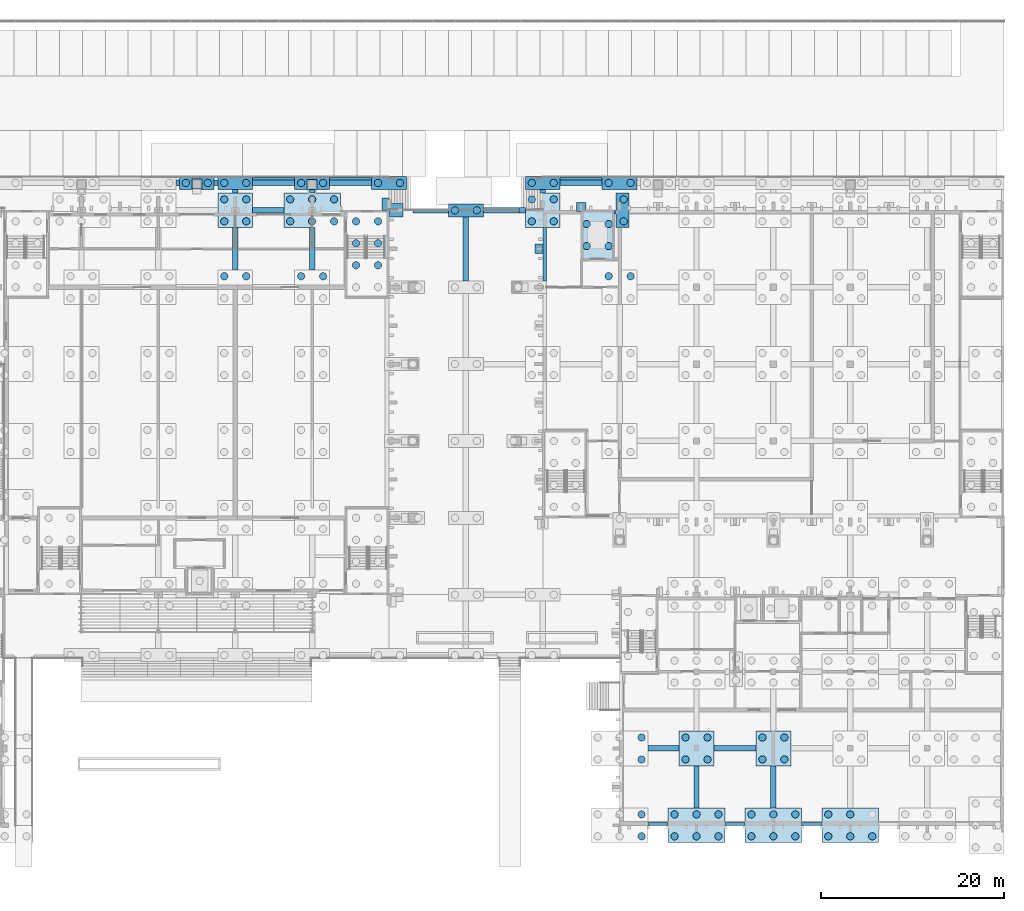
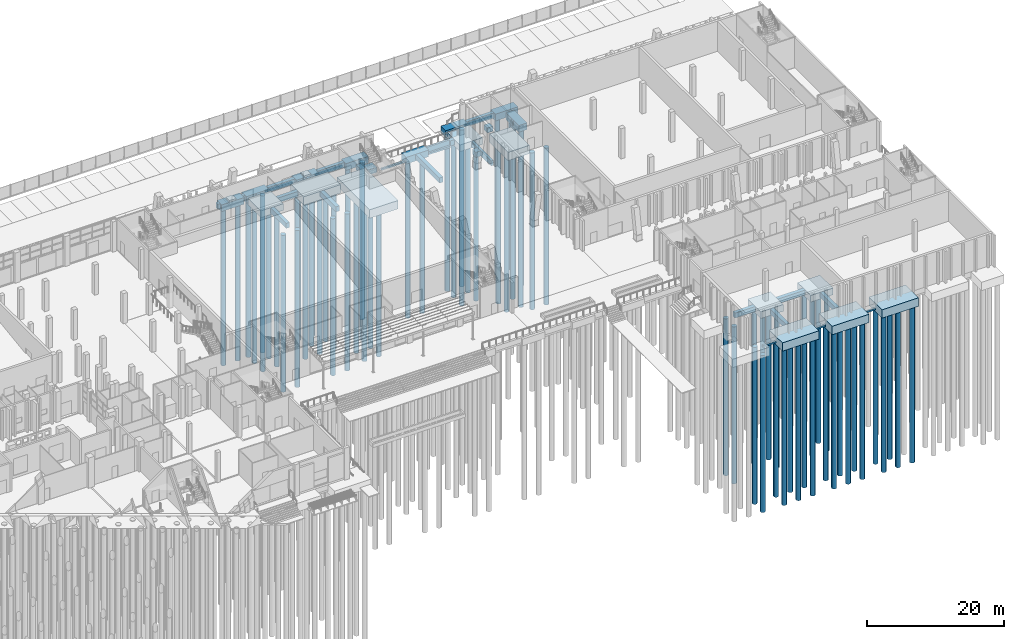
# One storey, part 7 of 129: 75 piles, 52 footings.
"""IFC4 building model written with IfcOpenShell, lengths in metres."""

from ifc_helpers import new_model, si_unit, direction, frame, origin, origin_2d, place, context, subcontext, project, spatial, rectangle, circle, extrude, material, material_profile, profile_set, type_object, element, save


model = new_model("IFC4")

# Units and contexts
model_context = context("Model", 3, precision=1e-05, world=origin(), true_north=direction((0.0, 1.0)))
body_context = subcontext(model_context, "Body", "Model", "MODEL_VIEW")
ifc_project = project(units=[si_unit("LENGTHUNIT", "METRE"), si_unit("AREAUNIT", "SQUARE_METRE"), si_unit("VOLUMEUNIT", "CUBIC_METRE"), si_unit("PLANEANGLEUNIT", "RADIAN"), si_unit("MASSUNIT", "GRAM", prefix="KILO")], contexts=[model_context])

# Site, building, storey
site_placement = place(None, origin())
site = spatial("IfcSite", under=ifc_project, at=site_placement, CompositionType="ELEMENT")
building_placement = place(site_placement, origin())
building = spatial("IfcBuilding", under=site, at=building_placement, Name="Kiln Court Media Centre", CompositionType="ELEMENT")
storey_placement = place(building_placement, origin())
storey = spatial("IfcBuildingStorey", under=building, at=storey_placement, Name="L00", CompositionType="ELEMENT", Elevation=0.0)

# Piles
ifc_material_1 = material(Name="Concrete C30/37", Category="concrete")
ifc_material_profile_1 = material_profile(ifc_material_1, circle(Radius=0.39990234375, at=origin_2d()), Name="PILE D800")
ifc_profile_set_1 = profile_set([ifc_material_profile_1], Name="Concrete C30/37")
pile_type_1 = type_object("IfcPileType", Name="Concrete C30/37 bored pile D800 cut-off -1.400 toe -29.400", PredefinedType="BORED", material=ifc_profile_set_1)
for number, where, z_axis, x_axis, name in (
    (1, (133.199951171875, 7.199951171875, -1.39990234375), (0.0, 0.0, -1.0), (1.0, 0.0, 0.0), "L00-PI-1152"),
    (2, (135.60009765625, 7.199951171875, -1.39990234375), (0.0, 0.0, -1.0), (1.0, 0.0, 0.0), "L00-PI-1153"),
    (3, (133.199951171875, 9.60009765625, -1.39990234375), (0.0, 0.0, -1.0), (1.0, 0.0, 0.0), "L00-PI-1154"),
    (4, (135.60009765625, 9.60009765625, -1.39990234375), (0.0, 0.0, -1.0), (1.0, 0.0, 0.0), "L00-PI-1155"),
    (5, (141.60009765625, 7.199951171875, -1.39990234375), (0.0, 0.0, -1.0), (1.0, 0.0, 0.0), "L00-PI-1156"),
    (6, (144.0, 7.199951171875, -1.39990234375), (0.0, 0.0, -1.0), (1.0, 0.0, 0.0), "L00-PI-1157"),
    (7, (141.60009765625, 9.60009765625, -1.39990234375), (0.0, 0.0, -1.0), (1.0, 0.0, 0.0), "L00-PI-1158"),
    (8, (144.0, 9.60009765625, -1.39990234375), (0.0, 0.0, -1.0), (1.0, 0.0, 0.0), "L00-PI-1159"),
    (9, (82.800048828125, 60.0, -1.39990234375), (0.0, 0.0, -1.0), (1.0, 0.0, 0.0), "L00-PI-1737"),
    (10, (85.199951171875, 60.0, -1.39990234375), (0.0, 0.0, -1.0), (1.0, 0.0, 0.0), "L00-PI-1738"),
    (11, (91.199951171875, 60.0, -1.39990234375), (0.0, 0.0, -1.0), (1.0, 0.0, 0.0), "L00-PI-1741"),
    (12, (93.60009765625, 60.0, -1.39990234375), (0.0, 0.0, -1.0), (1.0, 0.0, 0.0), "L00-PI-1742"),
    (13, (124.800048828125, 60.0, -1.39990234375), (0.0, 0.0, -1.0), (1.0, 0.0, 0.0), "L00-PI-1751"),
    (14, (127.199951171875, 60.0, -1.39990234375), (0.0, 0.0, -1.0), (1.0, 0.0, 0.0), "L00-PI-1752"),
    (15, (82.800048828125, 66.0, -1.39990234375), (0.0, 0.0, -1.0), (1.0, 0.0, 0.0), "L00-PI-1857"),
    (16, (85.199951171875, 66.0, -1.39990234375), (0.0, 0.0, -1.0), (1.0, 0.0, 0.0), "L00-PI-1858"),
    (17, (82.800048828125, 68.39990234375, -1.39990234375), (0.0, 0.0, -1.0), (1.0, 0.0, 0.0), "L00-PI-1859"),
    (18, (85.199951171875, 68.39990234375, -1.39990234375), (0.0, 0.0, -1.0), (1.0, 0.0, 0.0), "L00-PI-1860"),
    (19, (108.0, 67.199951171875, -1.39990234375), (0.0, 0.0, -1.0), (1.0, 0.0, 0.0), "L00-PI-1867"),
    (20, (110.39990234375, 67.199951171875, -1.39990234375), (0.0, 0.0, -1.0), (1.0, 0.0, 0.0), "L00-PI-1868"),
    (21, (116.39990234375, 66.0, -1.39990234375), (0.0, 0.0, -1.0), (1.0, 0.0, 0.0), "L00-PI-1869"),
    (22, (118.800048828125, 66.0, -1.39990234375), (0.0, 0.0, -1.0), (1.0, 0.0, 0.0), "L00-PI-1870"),
    (23, (116.39990234375, 68.39990234375, -1.39990234375), (0.0, 0.0, -1.0), (1.0, 0.0, 0.0), "L00-PI-1871"),
    (24, (118.800048828125, 68.39990234375, -1.39990234375), (0.0, 0.0, -1.0), (1.0, 0.0, 0.0), "L00-PI-1872"),
    (25, (126.43994140625, 66.0, -1.39990234375), (0.0, 0.0, -1.0), (1.0, 0.0, 0.0), "L00-PI-1873"),
    (26, (126.43994140625, 68.39990234375, -1.39990234375), (0.0, 0.0, -1.0), (1.0, 0.0, 0.0), "L00-PI-1874"),
    (27, (78.60009765625, 70.199951171875, -1.39990234375), (0.0, 0.0, -1.0), (1.0, 0.0, 0.0), "L00-PI-1911"),
    (28, (81.0, 70.199951171875, -1.39990234375), (0.0, 0.0, -1.0), (1.0, 0.0, 0.0), "L00-PI-1912"),
    (29, (82.800048828125, 70.199951171875, -1.39990234375), (0.0, 0.0, -1.0), (1.0, 0.0, 0.0), "L00-PI-1913"),
    (30, (85.199951171875, 70.199951171875, -1.39990234375), (0.0, 0.0, -1.0), (1.0, 0.0, 0.0), "L00-PI-1914"),
    (31, (91.199951171875, 70.199951171875, -1.39990234375), (0.0, 0.0, -1.0), (1.0, 0.0, 0.0), "L00-PI-1915"),
    (32, (93.60009765625, 70.199951171875, -1.39990234375), (0.0, 0.0, -1.0), (1.0, 0.0, 0.0), "L00-PI-1916"),
    (33, (99.60009765625, 70.199951171875, -1.39990234375), (0.0, 0.0, -1.0), (1.0, 0.0, 0.0), "L00-PI-1917"),
    (34, (102.0, 70.199951171875, -1.39990234375), (0.0, 0.0, -1.0), (1.0, 0.0, 0.0), "L00-PI-1918"),
    (35, (116.39990234375, 70.199951171875, -1.39990234375), (0.0, 0.0, -1.0), (1.0, 0.0, 0.0), "L00-PI-1919"),
    (36, (118.800048828125, 70.199951171875, -1.39990234375), (0.0, 0.0, -1.0), (1.0, 0.0, 0.0), "L00-PI-1920"),
    (37, (124.800048828125, 70.199951171875, -1.39990234375), (0.0, 0.0, -1.0), (1.0, 0.0, 0.0), "L00-PI-1921"),
    (38, (127.199951171875, 70.199951171875, -1.39990234375), (0.0, 0.0, -1.0), (1.0, 0.0, 0.0), "L00-PI-1922"),
):
    element("IfcPile", number, at=place(storey_placement, frame(where, z_axis=z_axis, x_axis=x_axis)), inside=storey, type_object=pile_type_1, Name=name, PredefinedType="BORED", context=body_context, shape_type="SweptSolid", body=[
        extrude(circle(Radius=0.39990234375, at=origin_2d()), origin(), (0.0, 0.0, 1.0), 28.0),
    ])
ifc_material_2 = material(Name="Concrete C30/37", Category="concrete")
ifc_material_profile_2 = material_profile(ifc_material_2, circle(Radius=0.39990234375, at=origin_2d()), Name="PILE D800")
ifc_profile_set_2 = profile_set([ifc_material_profile_2], Name="Concrete C30/37")
pile_type_2 = type_object("IfcPileType", Name="Concrete C30/37 bored pile D800 cut-off -1.700 toe -29.700", PredefinedType="BORED", material=ifc_profile_set_2)
for number, where, z_axis, x_axis, name in (
    (39, (128.39990234375, -1.199951171875, -1.699951171875), (0.0, 0.0, -1.0), (1.0, 0.0, 0.0), "L00-PI-1047"),
    (40, (128.39990234375, 1.199951171875, -1.699951171875), (0.0, 0.0, -1.0), (1.0, 0.0, 0.0), "L00-PI-1050"),
    (41, (132.0, -1.199951171875, -1.699951171875), (0.0, 0.0, -1.0), (1.0, 0.0, 0.0), "L00-PI-1051"),
    (42, (134.39990234375, -1.199951171875, -1.699951171875), (0.0, 0.0, -1.0), (1.0, 0.0, 0.0), "L00-PI-1052"),
    (43, (136.800048828125, -1.199951171875, -1.699951171875), (0.0, 0.0, -1.0), (1.0, 0.0, 0.0), "L00-PI-1053"),
    (44, (132.0, 1.199951171875, -1.699951171875), (0.0, 0.0, -1.0), (1.0, 0.0, 0.0), "L00-PI-1054"),
    (45, (134.39990234375, 1.199951171875, -1.699951171875), (0.0, 0.0, -1.0), (1.0, 0.0, 0.0), "L00-PI-1055"),
    (46, (136.800048828125, 1.199951171875, -1.699951171875), (0.0, 0.0, -1.0), (1.0, 0.0, 0.0), "L00-PI-1056"),
    (47, (140.39990234375, -1.199951171875, -1.699951171875), (0.0, 0.0, -1.0), (1.0, 0.0, 0.0), "L00-PI-1057"),
    (48, (142.800048828125, -1.199951171875, -1.699951171875), (0.0, 0.0, -1.0), (1.0, 0.0, 0.0), "L00-PI-1058"),
    (49, (145.199951171875, -1.199951171875, -1.699951171875), (0.0, 0.0, -1.0), (1.0, 0.0, 0.0), "L00-PI-1059"),
    (50, (140.39990234375, 1.199951171875, -1.699951171875), (0.0, 0.0, -1.0), (1.0, 0.0, 0.0), "L00-PI-1060"),
    (51, (142.800048828125, 1.199951171875, -1.699951171875), (0.0, 0.0, -1.0), (1.0, 0.0, 0.0), "L00-PI-1061"),
    (52, (145.199951171875, 1.199951171875, -1.699951171875), (0.0, 0.0, -1.0), (1.0, 0.0, 0.0), "L00-PI-1062"),
    (53, (148.800048828125, -1.199951171875, -1.699951171875), (0.0, 0.0, -1.0), (1.0, 0.0, 0.0), "L00-PI-1063"),
    (54, (151.199951171875, -1.199951171875, -1.699951171875), (0.0, 0.0, -1.0), (1.0, 0.0, 0.0), "L00-PI-1064"),
    (55, (153.60009765625, -1.199951171875, -1.699951171875), (0.0, 0.0, -1.0), (1.0, 0.0, 0.0), "L00-PI-1065"),
    (56, (148.800048828125, 1.199951171875, -1.699951171875), (0.0, 0.0, -1.0), (1.0, 0.0, 0.0), "L00-PI-1066"),
    (57, (151.199951171875, 1.199951171875, -1.699951171875), (0.0, 0.0, -1.0), (1.0, 0.0, 0.0), "L00-PI-1067"),
    (58, (128.39990234375, 7.199951171875, -1.699951171875), (0.0, 0.0, -1.0), (1.0, 0.0, 0.0), "L00-PI-1148"),
    (59, (128.39990234375, 9.60009765625, -1.699951171875), (0.0, 0.0, -1.0), (1.0, 0.0, 0.0), "L00-PI-1151"),
    (60, (97.199951171875, 61.199951171875, -1.699951171875), (0.0, 0.0, -1.0), (1.0, 0.0, 0.0), "L00-PI-1795"),
    (61, (99.60009765625, 61.199951171875, -1.699951171875), (0.0, 0.0, -1.0), (1.0, 0.0, 0.0), "L00-PI-1796"),
    (62, (97.199951171875, 63.60009765625, -1.699951171875), (0.0, 0.0, -1.0), (1.0, 0.0, 0.0), "L00-PI-1797"),
    (63, (99.60009765625, 63.60009765625, -1.699951171875), (0.0, 0.0, -1.0), (1.0, 0.0, 0.0), "L00-PI-1798"),
    (64, (97.199951171875, 66.0, -1.699951171875), (0.0, 0.0, -1.0), (1.0, 0.0, 0.0), "L00-PI-1799"),
    (65, (99.60009765625, 66.0, -1.699951171875), (0.0, 0.0, -1.0), (1.0, 0.0, 0.0), "L00-PI-1800"),
    (66, (90.0, 66.0, -1.699951171875), (0.0, 0.0, -1.0), (1.0, 0.0, 0.0), "L00-PI-1861"),
    (67, (92.39990234375, 66.0, -1.699951171875), (0.0, 0.0, -1.0), (1.0, 0.0, 0.0), "L00-PI-1862"),
    (68, (94.800048828125, 66.0, -1.699951171875), (0.0, 0.0, -1.0), (1.0, 0.0, 0.0), "L00-PI-1863"),
    (69, (90.0, 68.39990234375, -1.699951171875), (0.0, 0.0, -1.0), (1.0, 0.0, 0.0), "L00-PI-1864"),
    (70, (92.39990234375, 68.39990234375, -1.699951171875), (0.0, 0.0, -1.0), (1.0, 0.0, 0.0), "L00-PI-1865"),
    (71, (94.800048828125, 68.39990234375, -1.699951171875), (0.0, 0.0, -1.0), (1.0, 0.0, 0.0), "L00-PI-1866"),
):
    element("IfcPile", number, at=place(storey_placement, frame(where, z_axis=z_axis, x_axis=x_axis)), inside=storey, type_object=pile_type_2, Name=name, PredefinedType="BORED", context=body_context, shape_type="SweptSolid", body=[
        extrude(circle(Radius=0.39990234375, at=origin_2d()), origin(), (0.0, 0.0, 1.0), 28.0),
    ])
ifc_material_3 = material(Name="Concrete C30/37", Category="concrete")
ifc_material_profile_3 = material_profile(ifc_material_3, circle(Radius=0.39990234375, at=origin_2d()), Name="PILE D800")
ifc_profile_set_3 = profile_set([ifc_material_profile_3], Name="Concrete C30/37")
pile_type_3 = type_object("IfcPileType", Name="Concrete C30/37 bored pile D800 cut-off -3.000 toe -31.000", PredefinedType="BORED", material=ifc_profile_set_3)
for number, where, z_axis, x_axis, name in (
    (72, (122.39990234375, 63.300048828125, -3.0), (0.0, 0.0, -1.0), (1.0, 0.0, 0.0), "L00-PI-1809"),
    (73, (124.800048828125, 63.300048828125, -3.0), (0.0, 0.0, -1.0), (1.0, 0.0, 0.0), "L00-PI-1810"),
    (74, (122.39990234375, 65.699951171875, -3.0), (0.0, 0.0, -1.0), (1.0, 0.0, 0.0), "L00-PI-1811"),
    (75, (124.800048828125, 65.699951171875, -3.0), (0.0, 0.0, -1.0), (1.0, 0.0, 0.0), "L00-PI-1812"),
):
    element("IfcPile", number, at=place(storey_placement, frame(where, z_axis=z_axis, x_axis=x_axis)), inside=storey, type_object=pile_type_3, Name=name, PredefinedType="BORED", context=body_context, shape_type="SweptSolid", body=[
        extrude(circle(Radius=0.39990234375, at=origin_2d()), origin(), (0.0, 0.0, 1.0), 28.0),
    ])

# Footings
ifc_material_4 = material(Name="Concrete C30/37", Category="concrete")
footing_type_1 = type_object("IfcFootingType", Name="Concrete C30/37 column pad 1000x900", PredefinedType="PAD_FOOTING", material=ifc_material_4)
footing_1_placement = place(storey_placement, frame((121.800048828125, 67.550048828125, -1.199951171875), z_axis=(0.0, 0.0, 1.0), x_axis=(1.0, 0.0, 0.0)))
element("IfcFooting", 76, at=footing_1_placement, inside=storey, type_object=footing_type_1, Name="L00-FT-1532", PredefinedType="PAD_FOOTING", context=body_context, shape_type="SweptSolid", body=[
    extrude(rectangle(XDim=1.0, YDim=1.0, at=origin_2d()), origin(), (0.0, 0.0, 1.0), 0.89990234375),
])
footing_2_placement = place(storey_placement, frame((117.175048828125, 63.0, -1.199951171875), z_axis=(0.0, 0.0, 1.0), x_axis=(1.0, 0.0, 0.0)))
element("IfcFooting", 77, at=footing_2_placement, inside=storey, type_object=footing_type_1, Name="L00-FT-1541", PredefinedType="PAD_FOOTING", context=body_context, shape_type="SweptSolid", body=[
    extrude(rectangle(XDim=0.85009765625, YDim=1.0, at=origin_2d()), origin(), (0.0, 0.0, 1.0), 0.89990234375),
])
ifc_material_5 = material(Name="Concrete C30/37", Category="concrete")
footing_type_2 = type_object("IfcFootingType", Name="Concrete C30/37 column pad 1500x900", PredefinedType="PAD_FOOTING", material=ifc_material_5)
footing_3_placement = place(storey_placement, frame((101.60009765625, 67.199951171875, -1.199951171875), z_axis=(0.0, 0.0, 1.0), x_axis=(1.0, 0.0, 0.0)))
element("IfcFooting", 78, at=footing_3_placement, inside=storey, type_object=footing_type_2, Name="L00-FT-1524", PredefinedType="PAD_FOOTING", context=body_context, shape_type="SweptSolid", body=[
    extrude(rectangle(XDim=1.5, YDim=1.5, at=origin_2d()), origin(), (0.0, 0.0, 1.0), 0.89990234375),
])
footing_4_placement = place(storey_placement, frame((100.425048828125, 67.875, -1.199951171875), z_axis=(0.0, 0.0, 1.0), x_axis=(1.0, 0.0, 0.0)))
element("IfcFooting", 79, at=footing_4_placement, inside=storey, type_object=footing_type_2, Name="L00-FT-1525", PredefinedType="PAD_FOOTING", context=body_context, shape_type="SweptSolid", body=[
    extrude(rectangle(XDim=0.75, YDim=1.35009765625, at=origin_2d()), origin(), (0.0, 0.0, 1.0), 0.89990234375),
])
ifc_material_6 = material(Name="Concrete C30/37", Category="concrete")
footing_type_3 = type_object("IfcFootingType", Name="Concrete C30/37 foot pier 1100x1100", PredefinedType="PAD_FOOTING", material=ifc_material_6)
for number, where, z_axis, x_axis, name in (
    (80, (79.800048828125, 70.056640625, -0.2998046875), (0.0, 0.0, 1.0), (1.0, 0.0, 0.0), "L00-FT-1005"),
    (81, (92.39990234375, 70.044189453125, -0.2998046875), (0.0, 0.0, 1.0), (1.0, 0.0, 0.0), "L00-FT-1006"),
):
    element("IfcFooting", number, at=place(storey_placement, frame(where, z_axis=z_axis, x_axis=x_axis)), inside=storey, type_object=footing_type_3, Name=name, PredefinedType="PAD_FOOTING", context=body_context, shape_type="SweptSolid", body=[
        extrude(rectangle(XDim=1.10009765625, YDim=1.10009765625, at=origin_2d()), origin(), (0.0, 0.0, 1.0), 0.300048828125),
    ])
ifc_material_7 = material(Name="Concrete C30/37", Category="concrete")
footing_type_4 = type_object("IfcFootingType", Name="Concrete C30/37 ground beam 600x900", PredefinedType="STRIP_FOOTING", material=ifc_material_7)
for number, where, z_axis, x_axis, name in (
    (82, (134.39990234375, 4.199951171875, -1.199951171875), (0.0, 0.0, 1.0), (1.0, 0.0, 0.0), "L00-FT-1233"),
    (83, (142.800048828125, 4.199951171875, -1.199951171875), (0.0, 0.0, 1.0), (1.0, 0.0, 0.0), "L00-FT-1234"),
):
    element("IfcFooting", number, at=place(storey_placement, frame(where, z_axis=z_axis, x_axis=x_axis)), inside=storey, type_object=footing_type_4, Name=name, PredefinedType="STRIP_FOOTING", context=body_context, shape_type="SweptSolid", body=[
        extrude(rectangle(XDim=0.60009765625, YDim=4.60009765625, at=origin_2d()), origin(), (0.0, 0.0, 1.0), 0.89990234375),
    ])
footing_5_placement = place(storey_placement, frame((130.800048828125, 8.39990234375, -1.199951171875), z_axis=(0.0, 0.0, 1.0), x_axis=(1.0, 0.0, 0.0)))
element("IfcFooting", 84, at=footing_5_placement, inside=storey, type_object=footing_type_4, Name="L00-FT-1241", PredefinedType="STRIP_FOOTING", context=body_context, shape_type="SweptSolid", body=[
    extrude(rectangle(XDim=3.39990234375, YDim=0.60009765625, at=origin_2d()), origin(), (0.0, 0.0, 1.0), 0.89990234375),
])
footing_6_placement = place(storey_placement, frame((138.60009765625, 8.39990234375, -1.199951171875), z_axis=(0.0, 0.0, 1.0), x_axis=(1.0, 0.0, 0.0)))
element("IfcFooting", 85, at=footing_6_placement, inside=storey, type_object=footing_type_4, Name="L00-FT-1242", PredefinedType="STRIP_FOOTING", context=body_context, shape_type="SweptSolid", body=[
    extrude(rectangle(XDim=4.60009765625, YDim=0.60009765625, at=origin_2d()), origin(), (0.0, 0.0, 1.0), 0.89990234375),
])
for number, where, z_axis, x_axis, name in (
    (86, (84.0, 63.0, -1.199951171875), (0.0, 0.0, 1.0), (1.0, 0.0, 0.0), "L00-FT-1392"),
    (87, (92.39990234375, 63.0, -1.199951171875), (0.0, 0.0, 1.0), (1.0, 0.0, 0.0), "L00-FT-1393"),
):
    element("IfcFooting", number, at=place(storey_placement, frame(where, z_axis=z_axis, x_axis=x_axis)), inside=storey, type_object=footing_type_4, Name=name, PredefinedType="STRIP_FOOTING", context=body_context, shape_type="SweptSolid", body=[
        extrude(rectangle(XDim=0.60009765625, YDim=4.60009765625, at=origin_2d()), origin(), (0.0, 0.0, 1.0), 0.89990234375),
    ])
footing_7_placement = place(storey_placement, frame((109.199951171875, 63.0, -1.199951171875), z_axis=(0.0, 0.0, 1.0), x_axis=(1.0, 0.0, 0.0)))
element("IfcFooting", 88, at=footing_7_placement, inside=storey, type_object=footing_type_4, Name="L00-FT-1394", PredefinedType="STRIP_FOOTING", context=body_context, shape_type="SweptSolid", body=[
    extrude(rectangle(XDim=0.60009765625, YDim=7.0, at=origin_2d()), origin(), (0.0, 0.0, 1.0), 0.89990234375),
])
footing_8_placement = place(storey_placement, frame((87.60009765625, 67.199951171875, -1.199951171875), z_axis=(0.0, 0.0, 1.0), x_axis=(1.0, 0.0, 0.0)))
element("IfcFooting", 89, at=footing_8_placement, inside=storey, type_object=footing_type_4, Name="L00-FT-1405", PredefinedType="STRIP_FOOTING", context=body_context, shape_type="SweptSolid", body=[
    extrude(rectangle(XDim=3.39990234375, YDim=0.60009765625, at=origin_2d()), origin(), (0.0, 0.0, 1.0), 0.89990234375),
])
footing_9_placement = place(storey_placement, frame((115.35009765625, 67.199951171875, -1.199951171875), z_axis=(0.0, 0.0, 1.0), x_axis=(1.0, 0.0, 0.0)))
element("IfcFooting", 90, at=footing_9_placement, inside=storey, type_object=footing_type_4, Name="L00-FT-1406", PredefinedType="STRIP_FOOTING", context=body_context, shape_type="SweptSolid", body=[
    extrude(rectangle(XDim=0.699951171875, YDim=0.60009765625, at=origin_2d()), origin(), (0.0, 0.0, 1.0), 0.89990234375),
])
footing_10_placement = place(storey_placement, frame((113.050048828125, 67.35009765625, -1.199951171875), z_axis=(0.0, 0.0, 1.0), x_axis=(1.0, 0.0, 0.0)))
element("IfcFooting", 91, at=footing_10_placement, inside=storey, type_object=footing_type_4, Name="L00-FT-1407", PredefinedType="STRIP_FOOTING", context=body_context, shape_type="SweptSolid", body=[
    extrude(rectangle(XDim=3.89990234375, YDim=0.300048828125, at=origin_2d()), origin(), (0.0, 0.0, 1.0), 0.89990234375),
])
for number, where, z_axis, x_axis, name in (
    (92, (84.0, 69.300048828125, -1.199951171875), (0.0, 0.0, 1.0), (1.0, 0.0, 0.0), "L00-FT-1419"),
    (93, (92.39990234375, 69.300048828125, -1.199951171875), (0.0, 0.0, 1.0), (1.0, 0.0, 0.0), "L00-FT-1420"),
    (94, (117.60009765625, 69.300048828125, -1.199951171875), (0.0, 0.0, 1.0), (1.0, 0.0, 0.0), "L00-FT-1421"),
):
    element("IfcFooting", number, at=place(storey_placement, frame(where, z_axis=z_axis, x_axis=x_axis)), inside=storey, type_object=footing_type_4, Name=name, PredefinedType="STRIP_FOOTING", context=body_context, shape_type="SweptSolid", body=[
        extrude(rectangle(XDim=0.60009765625, YDim=0.39990234375, at=origin_2d()), origin(), (0.0, 0.0, 1.0), 0.89990234375),
    ])
for number, where, z_axis, x_axis, name in (
    (95, (77.699951171875, 70.199951171875, -1.199951171875), (0.0, 0.0, 1.0), (1.0, 0.0, 0.0), "L00-FT-1437"),
    (96, (81.89990234375, 70.199951171875, -1.199951171875), (0.0, 0.0, 1.0), (1.0, 0.0, 0.0), "L00-FT-1438"),
):
    element("IfcFooting", number, at=place(storey_placement, frame(where, z_axis=z_axis, x_axis=x_axis)), inside=storey, type_object=footing_type_4, Name=name, PredefinedType="STRIP_FOOTING", context=body_context, shape_type="SweptSolid", body=[
        extrude(rectangle(XDim=0.39990234375, YDim=0.60009765625, at=origin_2d()), origin(), (0.0, 0.0, 1.0), 0.89990234375),
    ])
for number, where, z_axis, x_axis, name in (
    (97, (88.199951171875, 70.199951171875, -1.199951171875), (0.0, 0.0, 1.0), (1.0, 0.0, 0.0), "L00-FT-1439"),
    (98, (96.60009765625, 70.199951171875, -1.199951171875), (0.0, 0.0, 1.0), (1.0, 0.0, 0.0), "L00-FT-1440"),
    (99, (121.800048828125, 70.199951171875, -1.199951171875), (0.0, 0.0, 1.0), (1.0, 0.0, 0.0), "L00-FT-1441"),
):
    element("IfcFooting", number, at=place(storey_placement, frame(where, z_axis=z_axis, x_axis=x_axis)), inside=storey, type_object=footing_type_4, Name=name, PredefinedType="STRIP_FOOTING", context=body_context, shape_type="SweptSolid", body=[
        extrude(rectangle(XDim=4.60009765625, YDim=0.60009765625, at=origin_2d()), origin(), (0.0, 0.0, 1.0), 0.89990234375),
    ])
ifc_material_8 = material(Name="Concrete C30/37", Category="concrete")
footing_type_5 = type_object("IfcFootingType", Name="Concrete C30/37 pile cap 1400x3800x1200", PredefinedType="PILE_CAP", material=ifc_material_8)
footing_11_placement = place(storey_placement, frame((126.320068359375, 67.199951171875, -1.5), z_axis=(0.0, 0.0, 1.0), x_axis=(1.0, 0.0, 0.0)))
element("IfcFooting", 100, at=footing_11_placement, inside=storey, type_object=footing_type_5, Name="L00-FT-1201", PredefinedType="PILE_CAP", context=body_context, shape_type="SweptSolid", body=[
    extrude(rectangle(XDim=1.39990234375, YDim=3.800048828125, at=origin_2d()), origin(), (0.0, 0.0, 1.0), 1.199951171875),
])
ifc_material_9 = material(Name="Concrete C30/37", Category="concrete")
footing_type_6 = type_object("IfcFootingType", Name="Concrete C30/37 pile cap 3600x5400x1500", PredefinedType="PILE_CAP", material=ifc_material_9)
footing_12_placement = place(storey_placement, frame((123.60009765625, 64.5, -3.10009765625), z_axis=(0.0, 0.0, 1.0), x_axis=(1.0, 0.0, 0.0)))
element("IfcFooting", 101, at=footing_12_placement, inside=storey, type_object=footing_type_6, Name="L00-FT-1187", PredefinedType="PILE_CAP", context=body_context, shape_type="SweptSolid", body=[
    extrude(rectangle(XDim=3.60009765625, YDim=5.39990234375, at=origin_2d()), origin(), (0.0, 0.0, 1.0), 1.5),
])
ifc_material_10 = material(Name="Concrete C30/37", Category="concrete")
footing_type_7 = type_object("IfcFootingType", Name="Concrete C30/37 pile cap 3800x1400x1200", PredefinedType="PILE_CAP", material=ifc_material_10)
for number, where, z_axis, x_axis, name in (
    (102, (109.199951171875, 67.199951171875, -1.5), (0.0, 0.0, 1.0), (1.0, 0.0, 0.0), "L00-FT-1199"),
    (103, (79.800048828125, 70.199951171875, -1.5), (0.0, 0.0, 1.0), (1.0, 0.0, 0.0), "L00-FT-1216"),
    (104, (84.0, 70.199951171875, -1.5), (0.0, 0.0, 1.0), (1.0, 0.0, 0.0), "L00-FT-1217"),
    (105, (92.39990234375, 70.199951171875, -1.5), (0.0, 0.0, 1.0), (1.0, 0.0, 0.0), "L00-FT-1218"),
    (106, (100.800048828125, 70.199951171875, -1.5), (0.0, 0.0, 1.0), (1.0, 0.0, 0.0), "L00-FT-1219"),
    (107, (117.60009765625, 70.199951171875, -1.5), (0.0, 0.0, 1.0), (1.0, 0.0, 0.0), "L00-FT-1220"),
    (108, (126.0, 70.199951171875, -1.5), (0.0, 0.0, 1.0), (1.0, 0.0, 0.0), "L00-FT-1221"),
):
    element("IfcFooting", number, at=place(storey_placement, frame(where, z_axis=z_axis, x_axis=x_axis)), inside=storey, type_object=footing_type_7, Name=name, PredefinedType="PILE_CAP", context=body_context, shape_type="SweptSolid", body=[
        extrude(rectangle(XDim=3.800048828125, YDim=1.39990234375, at=origin_2d()), origin(), (0.0, 0.0, 1.0), 1.199951171875),
    ])
ifc_material_11 = material(Name="Concrete C30/37", Category="concrete")
footing_type_8 = type_object("IfcFootingType", Name="Concrete C30/37 pile cap 3800x3800x1200", PredefinedType="PILE_CAP", material=ifc_material_11)
for number, where, z_axis, x_axis, name in (
    (109, (134.39990234375, 8.39990234375, -1.5), (0.0, 0.0, 1.0), (1.0, 0.0, 0.0), "L00-FT-1036"),
    (110, (142.800048828125, 8.39990234375, -1.5), (0.0, 0.0, 1.0), (1.0, 0.0, 0.0), "L00-FT-1037"),
    (111, (84.0, 67.199951171875, -1.5), (0.0, 0.0, 1.0), (1.0, 0.0, 0.0), "L00-FT-1197"),
    (112, (117.60009765625, 67.199951171875, -1.5), (0.0, 0.0, 1.0), (1.0, 0.0, 0.0), "L00-FT-1200"),
):
    element("IfcFooting", number, at=place(storey_placement, frame(where, z_axis=z_axis, x_axis=x_axis)), inside=storey, type_object=footing_type_8, Name=name, PredefinedType="PILE_CAP", context=body_context, shape_type="SweptSolid", body=[
        extrude(rectangle(XDim=3.800048828125, YDim=3.800048828125, at=origin_2d()), origin(), (0.0, 0.0, 1.0), 1.199951171875),
    ])
ifc_material_12 = material(Name="Concrete C30/37", Category="concrete")
footing_type_9 = type_object("IfcFootingType", Name="Concrete C30/37 pile cap 4800x9600x1500", PredefinedType="PILE_CAP", material=ifc_material_12)
footing_13_placement = place(storey_placement, frame((98.39990234375, 62.39990234375, -1.800048828125), z_axis=(0.0, 0.0, 1.0), x_axis=(1.0, 0.0, 0.0)))
element("IfcFooting", 113, at=footing_13_placement, inside=storey, type_object=footing_type_9, Name="L00-FT-1185", PredefinedType="PILE_CAP", context=body_context, shape_type="SweptSolid", body=[
    extrude(rectangle(XDim=4.800048828125, YDim=9.60009765625, at=origin_2d()), origin(), (0.0, 0.0, 1.0), 1.5),
])
ifc_material_13 = material(Name="Concrete C30/37", Category="concrete")
footing_type_10 = type_object("IfcFootingType", Name="Concrete C30/37 pile cap 6200x3800x1500", PredefinedType="PILE_CAP", material=ifc_material_13)
for number, where, z_axis, x_axis, name in (
    (114, (134.39990234375, 0.0, -1.800048828125), (0.0, 0.0, 1.0), (1.0, 0.0, 0.0), "L00-FT-1021"),
    (115, (142.800048828125, 0.0, -1.800048828125), (0.0, 0.0, 1.0), (1.0, 0.0, 0.0), "L00-FT-1022"),
    (116, (151.199951171875, 0.0, -1.800048828125), (0.0, 0.0, 1.0), (1.0, 0.0, 0.0), "L00-FT-1023"),
    (117, (92.39990234375, 67.199951171875, -1.800048828125), (0.0, 0.0, 1.0), (1.0, 0.0, 0.0), "L00-FT-1198"),
):
    element("IfcFooting", number, at=place(storey_placement, frame(where, z_axis=z_axis, x_axis=x_axis)), inside=storey, type_object=footing_type_10, Name=name, PredefinedType="PILE_CAP", context=body_context, shape_type="SweptSolid", body=[
        extrude(rectangle(XDim=6.199951171875, YDim=3.800048828125, at=origin_2d()), origin(), (0.0, 0.0, 1.0), 1.5),
    ])
ifc_material_14 = material(Name="Concrete C30/37", Category="concrete")
footing_type_11 = type_object("IfcFootingType", Name="Concrete C30/37 wall footing 220x900", PredefinedType="STRIP_FOOTING", material=ifc_material_14)
footing_14_placement = place(storey_placement, frame((125.510009765625, 67.0, -1.199951171875), z_axis=(0.0, 0.0, 1.0), x_axis=(1.0, 0.0, 0.0)))
element("IfcFooting", 118, at=footing_14_placement, inside=storey, type_object=footing_type_11, Name="L00-FT-1459", PredefinedType="STRIP_FOOTING", context=body_context, shape_type="SweptSolid", body=[
    extrude(rectangle(XDim=0.219970703125, YDim=0.39990234375, at=origin_2d()), origin(), (0.0, 0.0, 1.0), 0.89990234375),
])
ifc_material_15 = material(Name="Concrete C30/37", Category="concrete")
footing_type_12 = type_object("IfcFootingType", Name="Concrete C30/37 wall footing 300x300", PredefinedType="STRIP_FOOTING", material=ifc_material_15)
for number, where, z_axis, x_axis, name in (
    (119, (130.199951171875, 0.14990234375, -1.5), (0.0, 0.0, 1.0), (1.0, 0.0, 0.0), "L00-FT-1482"),
    (120, (138.60009765625, 0.14990234375, -1.5), (0.0, 0.0, 1.0), (1.0, 0.0, 0.0), "L00-FT-1483"),
    (121, (147.0, 0.14990234375, -1.5), (0.0, 0.0, 1.0), (1.0, 0.0, 0.0), "L00-FT-1484"),
):
    element("IfcFooting", number, at=place(storey_placement, frame(where, z_axis=z_axis, x_axis=x_axis)), inside=storey, type_object=footing_type_12, Name=name, PredefinedType="STRIP_FOOTING", context=body_context, shape_type="SweptSolid", body=[
        extrude(rectangle(XDim=2.199951171875, YDim=0.300048828125, at=origin_2d()), origin(), (0.0, 0.0, 1.0), 0.300048828125),
    ])
footing_15_placement = place(storey_placement, frame((121.800048828125, 70.64990234375, -1.5), z_axis=(0.0, 0.0, 1.0), x_axis=(1.0, 0.0, 0.0)))
element("IfcFooting", 122, at=footing_15_placement, inside=storey, type_object=footing_type_12, Name="L00-FT-1492", PredefinedType="STRIP_FOOTING", context=body_context, shape_type="SweptSolid", body=[
    extrude(rectangle(XDim=4.60009765625, YDim=0.300048828125, at=origin_2d()), origin(), (0.0, 0.0, 1.0), 0.300048828125),
])
for number, where, z_axis, x_axis, name in (
    (123, (105.35009765625, 67.050048828125, -1.5), (0.0, 0.0, 1.0), (1.0, 0.0, 0.0), "L00-FT-1498"),
    (124, (113.050048828125, 67.050048828125, -1.5), (0.0, 0.0, 1.0), (1.0, 0.0, 0.0), "L00-FT-1499"),
):
    element("IfcFooting", number, at=place(storey_placement, frame(where, z_axis=z_axis, x_axis=x_axis)), inside=storey, type_object=footing_type_12, Name=name, PredefinedType="STRIP_FOOTING", context=body_context, shape_type="SweptSolid", body=[
        extrude(rectangle(XDim=3.89990234375, YDim=0.300048828125, at=origin_2d()), origin(), (0.0, 0.0, 1.0), 0.300048828125),
    ])
for number, where, z_axis, x_axis, name in (
    (125, (88.199951171875, 70.64990234375, -1.5), (0.0, 0.0, 1.0), (1.0, 0.0, 0.0), "L00-FT-1507"),
    (126, (96.60009765625, 70.64990234375, -1.5), (0.0, 0.0, 1.0), (1.0, 0.0, 0.0), "L00-FT-1508"),
):
    element("IfcFooting", number, at=place(storey_placement, frame(where, z_axis=z_axis, x_axis=x_axis)), inside=storey, type_object=footing_type_12, Name=name, PredefinedType="STRIP_FOOTING", context=body_context, shape_type="SweptSolid", body=[
        extrude(rectangle(XDim=4.60009765625, YDim=0.300048828125, at=origin_2d()), origin(), (0.0, 0.0, 1.0), 0.300048828125),
    ])
ifc_material_16 = material(Name="Concrete C30/37", Category="concrete")
footing_type_13 = type_object("IfcFootingType", Name="Concrete C30/37 wall footing 400x900", PredefinedType="STRIP_FOOTING", material=ifc_material_16)
footing_16_placement = place(storey_placement, frame((117.800048828125, 62.39990234375, -1.199951171875), z_axis=(0.0, 0.0, 1.0), x_axis=(1.0, 0.0, 0.0)))
element("IfcFooting", 127, at=footing_16_placement, inside=storey, type_object=footing_type_13, Name="L00-FT-1462", PredefinedType="STRIP_FOOTING", context=body_context, shape_type="SweptSolid", body=[
    extrude(rectangle(XDim=0.39990234375, YDim=5.800048828125, at=origin_2d()), origin(), (0.0, 0.0, 1.0), 0.89990234375),
])

save(model, "model.ifc")
